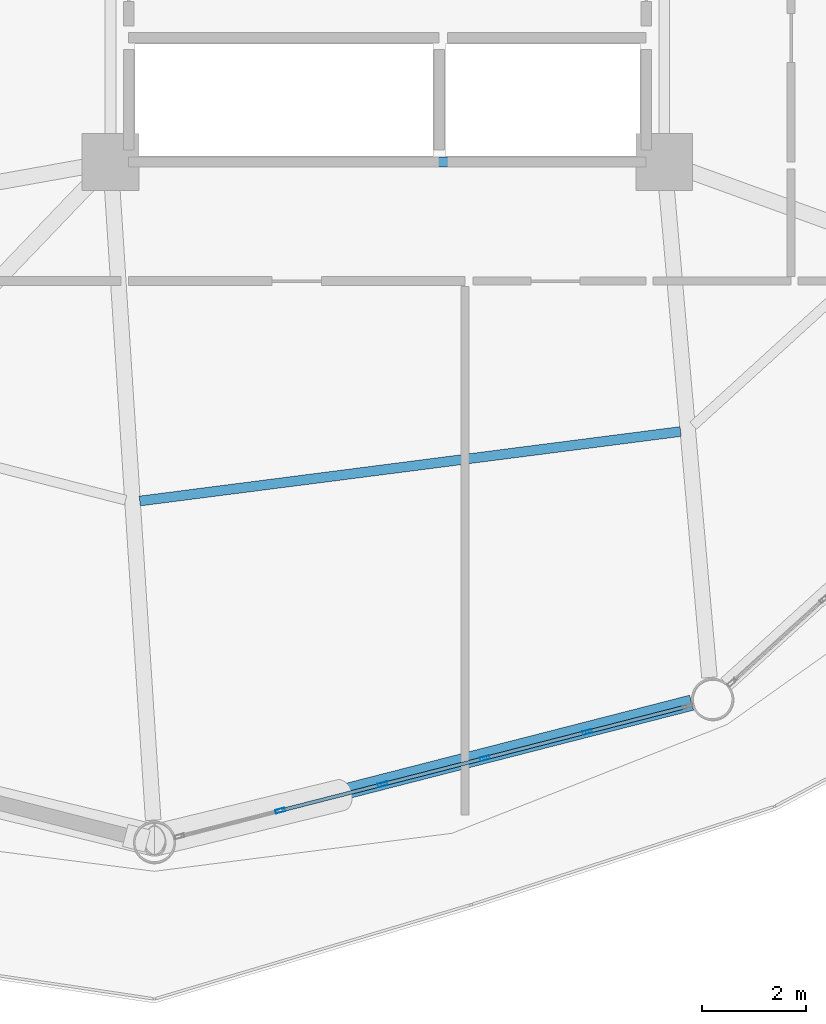
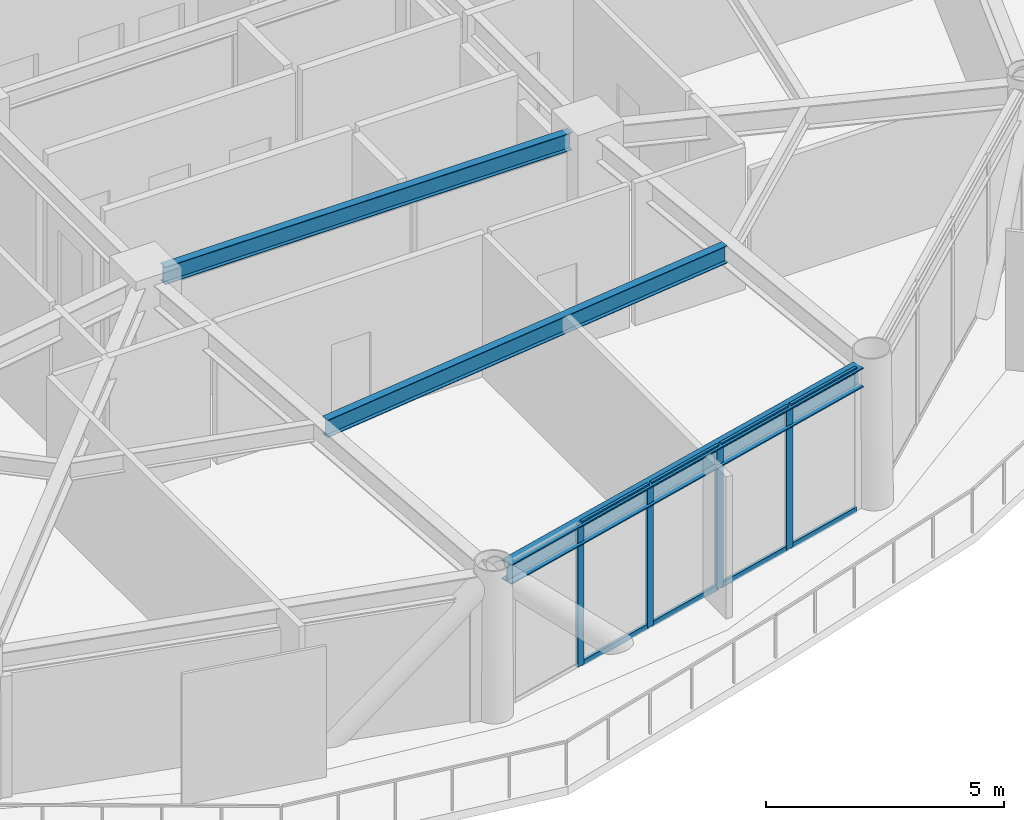
# One storey, part 7 of 26: 12 members, 3 beams, 1 element without a shape of its own.
"""IFC4 building model written with IfcOpenShell, lengths in metres."""

import ifcopenshell
import ifcopenshell.guid

model = None  # the IFC model being written
_history = None  # IfcOwnerHistory: only IFC2X3 demands one
_inside = {}  # id of a spatial element -> (the spatial element, [elements in it])
_under = {}  # id of a project, library or spatial element -> (it, [spatial elements below it])
_declared = {}  # id of a project -> (the project, [libraries it declares])
_typed = {}  # id of a type object -> (the type object, [elements of that type])
_made_of = {}  # id of a material, layer set ... -> (it, [elements and type objects made of it])


def new_model(schema):
    """Start an empty IFC model of exactly this schema.

    Asked for "IFC4X3", IfcOpenShell would pick the latest addendum, in which some entities
    have other attributes; the version numbers below select the first issue.
    IFC2X3 requires an IfcOwnerHistory on every rooted entity: one is made here for all.
    """
    global model, _history
    if schema == "IFC4X3":
        model = ifcopenshell.file(schema_version=(4, 3, 0, 0))
    else:
        model = ifcopenshell.file(schema=schema)
    _inside.clear()
    _under.clear()
    _declared.clear()
    _typed.clear()
    _made_of.clear()
    _history = None
    if model.schema == "IFC2X3":
        org = make("IfcOrganization", Name="unknown")
        user = make(
            "IfcPersonAndOrganization",
            ThePerson=make("IfcPerson", FamilyName="unknown"),
            TheOrganization=org,
        )
        app = make(
            "IfcApplication",
            ApplicationDeveloper=org,
            Version="unknown",
            ApplicationFullName="unknown",
            ApplicationIdentifier="unknown",
        )
        _history = make(
            "IfcOwnerHistory",
            OwningUser=user,
            OwningApplication=app,
            ChangeAction="ADDED",
            CreationDate=0,
        )
    return model


def make(cls, **values):
    """One entity of the class cls with the attributes given. An attribute that is None is left unset."""
    return model.create_entity(
        cls, **{name: value for name, value in values.items() if value is not None}
    )


def rooted(cls, **values):
    """An entity with a GlobalId (a new one), such as an element, a storey or a relation."""
    return make(cls, GlobalId=ifcopenshell.guid.new(), OwnerHistory=_history, **values)


def si_unit(unit_type, name, prefix=None):
    """IfcSIUnit, for example si_unit("LENGTHUNIT", "METRE", prefix="MILLI")."""
    return make("IfcSIUnit", UnitType=unit_type, Prefix=prefix, Name=name)


def assignment(units):
    """IfcUnitAssignment: the units of a project."""
    return None if units is None else make("IfcUnitAssignment", Units=units)


def point(xyz):
    """IfcCartesianPoint."""
    return None if xyz is None else make("IfcCartesianPoint", Coordinates=xyz)


def direction(xyz):
    """IfcDirection."""
    return None if xyz is None else make("IfcDirection", DirectionRatios=xyz)


def frame(location, z_axis=None, x_axis=None):
    """IfcAxis2Placement3D, a coordinate frame: its origin and axes. An axis left out is left unset."""
    return make(
        "IfcAxis2Placement3D",
        Location=point(location),
        Axis=direction(z_axis),
        RefDirection=direction(x_axis),
    )


def frame_2d(location, x_axis=None):
    """IfcAxis2Placement2D, a coordinate frame in the plane: its origin and x axis."""
    return make(
        "IfcAxis2Placement2D", Location=point(location), RefDirection=direction(x_axis)
    )


def origin():
    """The frame at (0, 0, 0) with its axes left unset."""
    return frame((0.0, 0.0, 0.0))


def origin_2d():
    """The frame at (0, 0) in the plane with its x axis left unset."""
    return frame_2d((0.0, 0.0))


def place(relative_to, where):
    """IfcLocalPlacement: puts the frame where relative to a parent placement (None: the world)."""
    return make(
        "IfcLocalPlacement", PlacementRelTo=relative_to, RelativePlacement=where
    )


def context(
    kind, dimensions, precision=None, world=None, true_north=None, identifier=None
):
    """IfcGeometricRepresentationContext, for example the 3D "Model" context."""
    return make(
        "IfcGeometricRepresentationContext",
        ContextIdentifier=identifier,
        ContextType=kind,
        CoordinateSpaceDimension=dimensions,
        Precision=precision,
        WorldCoordinateSystem=world,
        TrueNorth=true_north,
    )


def subcontext(parent, identifier, kind, view, scale=None):
    """IfcGeometricRepresentationSubContext, for example "Body" below "Model"."""
    return make(
        "IfcGeometricRepresentationSubContext",
        ContextIdentifier=identifier,
        ContextType=kind,
        ParentContext=parent,
        TargetScale=scale,
        TargetView=view,
    )


def project(units=None, contexts=None):
    """IfcProject with its units and contexts."""
    return rooted(
        "IfcProject",
        Name="project",
        RepresentationContexts=contexts,
        UnitsInContext=assignment(units),
    )


def spatial(cls, under=None, at=None, **own):
    """A site, building, storey or space (cls), placed at a placement, below another one or the project."""
    s = rooted(cls, ObjectPlacement=at, **own)
    if under is not None:
        _under.setdefault(under.id(), (under, []))[1].append(s)
    return s


def profile(cls, at=None, kind="AREA", **sizes):
    """A parametric profile (cls). Its sizes go by their IFC names, for example OverallWidth=200.0."""
    return make(cls, ProfileType=kind, Position=at, **sizes)


def hollow_rectangle(**sizes):
    """IfcRectangleHollowProfileDef."""
    return profile("IfcRectangleHollowProfileDef", **sizes)


def i_section(**sizes):
    """IfcIShapeProfileDef."""
    return profile("IfcIShapeProfileDef", **sizes)


def extrude(swept, where, along, depth):
    """IfcExtrudedAreaSolid: the profile swept, set in the frame where, extruded along a direction by depth."""
    return make(
        "IfcExtrudedAreaSolid",
        SweptArea=swept,
        Position=where,
        ExtrudedDirection=direction(along),
        Depth=depth,
    )


def shape(context_of_items, identifier, shape_type, items):
    """IfcShapeRepresentation: the items that make up one representation, for example the "Body"."""
    return make(
        "IfcShapeRepresentation",
        ContextOfItems=context_of_items,
        RepresentationIdentifier=identifier,
        RepresentationType=shape_type,
        Items=items,
    )


def material(Name=None, Category=None):
    """IfcMaterial."""
    return make("IfcMaterial", Name=Name, Category=Category)


def layer(
    of_material, thickness, ventilated=None, Name=None, Category=None, Priority=None
):
    """IfcMaterialLayer: one layer of a wall or slab, of a material (None: an air gap)."""
    return make(
        "IfcMaterialLayer",
        Material=of_material,
        LayerThickness=thickness,
        IsVentilated=ventilated,
        Name=Name,
        Category=Category,
        Priority=Priority,
    )


def layer_set(layers, Name=None):
    """IfcMaterialLayerSet."""
    return make("IfcMaterialLayerSet", MaterialLayers=layers, LayerSetName=Name)


def material_profile(
    of_material, cross_section, Name=None, Category=None, Priority=None
):
    """IfcMaterialProfile: a cross section and its material."""
    return make(
        "IfcMaterialProfile",
        Name=Name,
        Material=of_material,
        Profile=cross_section,
        Priority=Priority,
        Category=Category,
    )


def profile_set(profiles, Name=None, composite=None):
    """IfcMaterialProfileSet."""
    return make(
        "IfcMaterialProfileSet",
        Name=Name,
        MaterialProfiles=profiles,
        CompositeProfile=composite,
    )


def made_of(thing, what):
    """Note that an element or type object is made of a material, layer set ...; save() writes the relation."""
    if what is not None:
        _made_of.setdefault(what.id(), (what, []))[1].append(thing)
    return thing


def type_object(cls, material=None, **own):
    """A type object (cls), such as IfcWallType, which elements share."""
    return made_of(rooted(cls, **own), material)


def element(
    cls,
    number,
    at=None,
    inside=None,
    cuts=None,
    type_object=None,
    material=None,
    context=None,
    identifier="Body",
    shape_type=None,
    held_by="IfcProductDefinitionShape",
    body=None,
    shapes=None,
    **own,
):
    """One element of the class cls, such as IfcWall. Its Tag is "e" and its number.

    at: its placement. inside: the storey or other place that contains it. cuts: it is an
    opening in that element (IfcRelVoidsElement). A single representation is given by context,
    identifier, shape_type and body (its items); several are given by shapes. held_by: the class
    of the entity that holds the representations. save() writes the other relations.
    """
    e = rooted(cls, Tag="e%d" % number, ObjectPlacement=at, **own)
    if body is not None:
        shapes = [shape(context, identifier, shape_type, body)]
    if shapes is not None:
        e.Representation = make(held_by, Representations=shapes)
    if inside is not None:
        _inside.setdefault(inside.id(), (inside, []))[1].append(e)
    if cuts is not None:
        rooted(
            "IfcRelVoidsElement", RelatingBuildingElement=cuts, RelatedOpeningElement=e
        )
    if type_object is not None:
        _typed.setdefault(type_object.id(), (type_object, []))[1].append(e)
    return made_of(e, material)


def aggregate(whole, parts):
    """IfcRelAggregates: a whole, such as a stair, and the parts it consists of."""
    return rooted("IfcRelAggregates", RelatingObject=whole, RelatedObjects=parts)


def save(model, path):
    """Write the relations noted so far, then the file.

    IfcRelAggregates (storeys below a building ...), IfcRelContainedInSpatialStructure (elements
    in a storey), IfcRelDefinesByType, IfcRelAssociatesMaterial and IfcRelDeclares: one each for
    every whole, place, type object, material and project.
    """
    for whole, parts in _under.values():
        aggregate(whole, parts)
    for where, things in _inside.values():
        rooted(
            "IfcRelContainedInSpatialStructure",
            RelatedElements=things,
            RelatingStructure=where,
        )
    for kind, things in _typed.values():
        rooted("IfcRelDefinesByType", RelatedObjects=things, RelatingType=kind)
    for what, things in _made_of.values():
        rooted("IfcRelAssociatesMaterial", RelatedObjects=things, RelatingMaterial=what)
    for by, libraries in _declared.values():
        rooted("IfcRelDeclares", RelatingContext=by, RelatedDefinitions=libraries)
    model.write(path)


model = new_model("IFC4")

# Units and contexts
model_context = context("Model", 3, precision=1e-05, world=origin(), true_north=direction((0.0, 1.0)))
body_context = subcontext(model_context, "Body", "Model", "MODEL_VIEW")
ifc_project = project(units=[si_unit("LENGTHUNIT", "METRE"), si_unit("AREAUNIT", "SQUARE_METRE"), si_unit("VOLUMEUNIT", "CUBIC_METRE"), si_unit("PLANEANGLEUNIT", "RADIAN"), si_unit("MASSUNIT", "GRAM", prefix="KILO")], contexts=[model_context])

# Site, building, storey
site_placement = place(None, origin())
site = spatial("IfcSite", under=ifc_project, at=site_placement, CompositionType="ELEMENT")
building_placement = place(site_placement, origin())
building = spatial("IfcBuilding", under=site, at=building_placement, Name="Varnakorn Sky Granary", CompositionType="ELEMENT")
storey_placement = place(building_placement, frame((0.0, 0.0, 95.39990234375)))
storey = spatial("IfcBuildingStorey", under=building, at=storey_placement, Name="L23", CompositionType="ELEMENT", Elevation=95.39990234375)

# Beams
ifc_material_1 = material(Name="Steel S355JR", Category="steel")
ifc_material_profile_1 = material_profile(ifc_material_1, i_section(OverallWidth=0.18994140625, OverallDepth=0.449951171875, WebThickness=0.009521484375, FlangeThickness=0.0146484375, at=origin_2d()), Name="IPE 450")
ifc_profile_set_1 = profile_set([ifc_material_profile_1], Name="Steel S355JR")
beam_type_1 = type_object("IfcBeamType", Name="BM-SEC-Z2", PredefinedType="BEAM", material=ifc_profile_set_1)
beam_1_placement = place(storey_placement, frame((-1.78515625, -13.14990234375, 3.4150390625), z_axis=(0.991844229728, 0.127455968691, 0.0), x_axis=(-0.127455968691, 0.991844229728, 0.0)))
element("IfcBeam", 1, at=beam_1_placement, inside=storey, type_object=beam_type_1, Name="Secondary Floor Chord Beam MSB10 L23", PredefinedType="BEAM", context=body_context, shape_type="SweptSolid", body=[
    extrude(i_section(OverallWidth=0.18994140625, OverallDepth=0.449951171875, WebThickness=0.009521484375, FlangeThickness=0.0146484375, at=origin_2d()), origin(), (0.0, 0.0, 1.0), 10.537109375),
])
beam_2_placement = place(storey_placement, frame((-1.929931640625, -6.60009765625, 3.4150390625), z_axis=(1.0, 0.0, 0.0), x_axis=(0.0, 1.0, 0.0)))
element("IfcBeam", 2, at=beam_2_placement, inside=storey, type_object=beam_type_1, Name="Core Spine Framing Beam 6 L23", PredefinedType="BEAM", context=body_context, shape_type="SweptSolid", body=[
    extrude(i_section(OverallWidth=0.18994140625, OverallDepth=0.449951171875, WebThickness=0.009521484375, FlangeThickness=0.0146484375, at=origin_2d()), origin(), (0.0, 0.0, 1.0), 9.85986328125),
])
ifc_material_profile_2 = material_profile(ifc_material_1, i_section(OverallWidth=0.300048828125, OverallDepth=0.5, WebThickness=0.014404296875, FlangeThickness=0.028076171875, at=origin_2d()), Name="HE 500 B")
ifc_profile_set_2 = profile_set([ifc_material_profile_2], Name="Steel S355JR")
beam_type_2 = type_object("IfcBeamType", Name="BM-SPD-Z2", PredefinedType="SPANDREL", material=ifc_profile_set_2)
beam_3_placement = place(storey_placement, frame((-1.120849609375, -19.60986328125, 3.39013671875), z_axis=(0.968691144686, 0.248268939272, 0.0), x_axis=(-0.248268939272, 0.968691144686, 0.0)))
element("IfcBeam", 3, at=beam_3_placement, inside=storey, type_object=beam_type_2, Name="Perimeter Spandrel Ring Beam RB10 L23", PredefinedType="SPANDREL", context=body_context, shape_type="SweptSolid", body=[
    extrude(i_section(OverallWidth=0.300048828125, OverallDepth=0.5, WebThickness=0.014404296875, FlangeThickness=0.028076171875, at=origin_2d()), origin(), (0.0, 0.0, 1.0), 10.322509765625),
])

# Curtain wall, members
ifc_material_2 = material(Name="Anodised Bronze Aluminium Alloy 6063-T6", Category="aluminium")
ifc_layer = layer(ifc_material_2, 0.18994140625, Name="Anodised Bronze Aluminium Alloy 6063-T6")
ifc_layer_set = layer_set([ifc_layer], Name="Anodised Bronze Aluminium Alloy 6063-T6")
curtain_wall_type = type_object("IfcCurtainWallType", Name="CW-FRM-1", PredefinedType="USERDEFINED", material=ifc_layer_set)
curtain_wall_placement = place(storey_placement, origin())
curtain_wall = element("IfcCurtainWall", 4, at=curtain_wall_placement, inside=storey, type_object=curtain_wall_type, Name="Unitised Curtain Wall CW3 CW-L23-B10", ObjectType="CURTAIN WALL", PredefinedType="USERDEFINED")
ifc_material_profile_3 = material_profile(ifc_material_2, hollow_rectangle(XDim=0.070068359375, YDim=0.18505859375, WallThickness=0.00390625, at=origin_2d()), Name="ALU MULL 70x185")
ifc_profile_set_3 = profile_set([ifc_material_profile_3], Name="Anodised Bronze Aluminium Alloy 6063-T6")
member_type_1 = type_object("IfcMemberType", Name="CW-FRM-1-MULL", PredefinedType="MULLION", material=ifc_profile_set_3)
member_1_placement = place(storey_placement, frame((6.861572265625, -17.613525390625, 0.0), z_axis=(0.0, 0.0, 1.0), x_axis=(0.248101423339, -0.968734062443, 0.0)))
member_1 = element("IfcMember", 5, at=member_1_placement, type_object=member_type_1, Name="CW3 mullion 2", PredefinedType="MULLION", context=body_context, shape_type="SweptSolid", body=[
    extrude(hollow_rectangle(XDim=0.070068359375, YDim=0.18505859375, WallThickness=0.00390625, at=origin_2d()), origin(), (0.0, 0.0, 1.0), 3.64013671875),
])
member_2_placement = place(storey_placement, frame((4.88427734375, -18.119873046875, 0.0), z_axis=(0.0, 0.0, 1.0), x_axis=(0.248101423339, -0.968734062443, 0.0)))
member_2 = element("IfcMember", 6, at=member_2_placement, type_object=member_type_1, Name="CW3 mullion 3", PredefinedType="MULLION", context=body_context, shape_type="SweptSolid", body=[
    extrude(hollow_rectangle(XDim=0.070068359375, YDim=0.18505859375, WallThickness=0.00390625, at=origin_2d()), origin(), (0.0, 0.0, 1.0), 3.64013671875),
])
member_3_placement = place(storey_placement, frame((2.90673828125, -18.62646484375, 0.0), z_axis=(0.0, 0.0, 1.0), x_axis=(0.248101423339, -0.968734062443, 0.0)))
member_3 = element("IfcMember", 7, at=member_3_placement, type_object=member_type_1, Name="CW3 mullion 4", PredefinedType="MULLION", context=body_context, shape_type="SweptSolid", body=[
    extrude(hollow_rectangle(XDim=0.070068359375, YDim=0.18505859375, WallThickness=0.00390625, at=origin_2d()), origin(), (0.0, 0.0, 1.0), 3.64013671875),
])
member_4_placement = place(storey_placement, frame((0.929443359375, -19.1328125, 0.0), z_axis=(0.0, 0.0, 1.0), x_axis=(0.248101423339, -0.968734062443, 0.0)))
member_4 = element("IfcMember", 8, at=member_4_placement, type_object=member_type_1, Name="CW3 mullion 5", PredefinedType="MULLION", context=body_context, shape_type="SweptSolid", body=[
    extrude(hollow_rectangle(XDim=0.070068359375, YDim=0.18505859375, WallThickness=0.00390625, at=origin_2d()), origin(), (0.0, 0.0, 1.0), 3.64013671875),
])
ifc_material_profile_4 = material_profile(ifc_material_2, hollow_rectangle(XDim=0.070068359375, YDim=0.139892578125, WallThickness=0.00341796875, at=origin_2d()), Name="ALU TRAN 70x140")
ifc_profile_set_4 = profile_set([ifc_material_profile_4], Name="Anodised Bronze Aluminium Alloy 6063-T6")
member_type_2 = type_object("IfcMemberType", Name="CW-FRM-1-TRAN", PredefinedType="USERDEFINED", material=ifc_profile_set_4)
member_5_placement = place(storey_placement, frame((8.771240234375, -17.12451171875, 0.03515625), z_axis=(-0.96875481034, -0.248020397233, 0.0), x_axis=(0.248020397233, -0.96875481034, 0.0)))
member_5 = element("IfcMember", 9, at=member_5_placement, type_object=member_type_2, Name="CW3 transom 1.1", ObjectType="TRANSOM", PredefinedType="USERDEFINED", context=body_context, shape_type="SweptSolid", body=[
    extrude(hollow_rectangle(XDim=0.070068359375, YDim=0.139892578125, WallThickness=0.00341796875, at=origin_2d()), origin(), (0.0, 0.0, 1.0), 1.936279296875),
])
member_6_placement = place(storey_placement, frame((8.771240234375, -17.12451171875, 3.60498046875), z_axis=(-0.96875481034, -0.248020397233, 0.0), x_axis=(0.248020397233, -0.96875481034, 0.0)))
member_6 = element("IfcMember", 10, at=member_6_placement, type_object=member_type_2, Name="CW3 transom 1.2", ObjectType="TRANSOM", PredefinedType="USERDEFINED", context=body_context, shape_type="SweptSolid", body=[
    extrude(hollow_rectangle(XDim=0.070068359375, YDim=0.139892578125, WallThickness=0.00341796875, at=origin_2d()), origin(), (0.0, 0.0, 1.0), 1.936279296875),
])
member_7_placement = place(storey_placement, frame((6.82763671875, -17.622314453125, 0.03515625), z_axis=(-0.968734889242, -0.248098195007, 0.0), x_axis=(0.248098195007, -0.968734889242, 0.0)))
member_7 = element("IfcMember", 11, at=member_7_placement, type_object=member_type_2, Name="CW3 transom 2.1", ObjectType="TRANSOM", PredefinedType="USERDEFINED", context=body_context, shape_type="SweptSolid", body=[
    extrude(hollow_rectangle(XDim=0.070068359375, YDim=0.139892578125, WallThickness=0.00341796875, at=origin_2d()), origin(), (0.0, 0.0, 1.0), 1.970947265625),
])
member_8_placement = place(storey_placement, frame((6.82763671875, -17.622314453125, 3.60498046875), z_axis=(-0.968734889242, -0.248098195007, 0.0), x_axis=(0.248098195007, -0.968734889242, 0.0)))
member_8 = element("IfcMember", 12, at=member_8_placement, type_object=member_type_2, Name="CW3 transom 2.2", ObjectType="TRANSOM", PredefinedType="USERDEFINED", context=body_context, shape_type="SweptSolid", body=[
    extrude(hollow_rectangle(XDim=0.070068359375, YDim=0.139892578125, WallThickness=0.00341796875, at=origin_2d()), origin(), (0.0, 0.0, 1.0), 1.970947265625),
])
member_9_placement = place(storey_placement, frame((4.850341796875, -18.128662109375, 0.03515625), z_axis=(-0.968742511992, -0.248068428985, 0.0), x_axis=(0.248068428985, -0.968742511992, 0.0)))
member_9 = element("IfcMember", 13, at=member_9_placement, type_object=member_type_2, Name="CW3 transom 3.1", ObjectType="TRANSOM", PredefinedType="USERDEFINED", context=body_context, shape_type="SweptSolid", body=[
    extrude(hollow_rectangle(XDim=0.070068359375, YDim=0.139892578125, WallThickness=0.00341796875, at=origin_2d()), origin(), (0.0, 0.0, 1.0), 1.97119140625),
])
member_10_placement = place(storey_placement, frame((4.850341796875, -18.128662109375, 3.60498046875), z_axis=(-0.968742511992, -0.248068428985, 0.0), x_axis=(0.248068428985, -0.968742511992, 0.0)))
member_10 = element("IfcMember", 14, at=member_10_placement, type_object=member_type_2, Name="CW3 transom 3.2", ObjectType="TRANSOM", PredefinedType="USERDEFINED", context=body_context, shape_type="SweptSolid", body=[
    extrude(hollow_rectangle(XDim=0.070068359375, YDim=0.139892578125, WallThickness=0.00341796875, at=origin_2d()), origin(), (0.0, 0.0, 1.0), 1.97119140625),
])
member_11_placement = place(storey_placement, frame((2.872802734375, -18.635009765625, 0.03515625), z_axis=(-0.968712743367, -0.248184650691, 0.0), x_axis=(0.248184650691, -0.968712743367, 0.0)))
member_11 = element("IfcMember", 15, at=member_11_placement, type_object=member_type_2, Name="CW3 transom 4.1", ObjectType="TRANSOM", PredefinedType="USERDEFINED", context=body_context, shape_type="SweptSolid", body=[
    extrude(hollow_rectangle(XDim=0.070068359375, YDim=0.139892578125, WallThickness=0.00341796875, at=origin_2d()), origin(), (0.0, 0.0, 1.0), 1.971435546875),
])
member_12_placement = place(storey_placement, frame((2.872802734375, -18.635009765625, 3.60498046875), z_axis=(-0.968712743367, -0.248184650691, 0.0), x_axis=(0.248184650691, -0.968712743367, 0.0)))
member_12 = element("IfcMember", 16, at=member_12_placement, type_object=member_type_2, Name="CW3 transom 4.2", ObjectType="TRANSOM", PredefinedType="USERDEFINED", context=body_context, shape_type="SweptSolid", body=[
    extrude(hollow_rectangle(XDim=0.070068359375, YDim=0.139892578125, WallThickness=0.00341796875, at=origin_2d()), origin(), (0.0, 0.0, 1.0), 1.971435546875),
])
aggregate(curtain_wall, [member_1, member_2, member_3, member_4, member_5, member_6, member_7, member_8, member_9, member_10, member_11, member_12])

save(model, "model.ifc")
